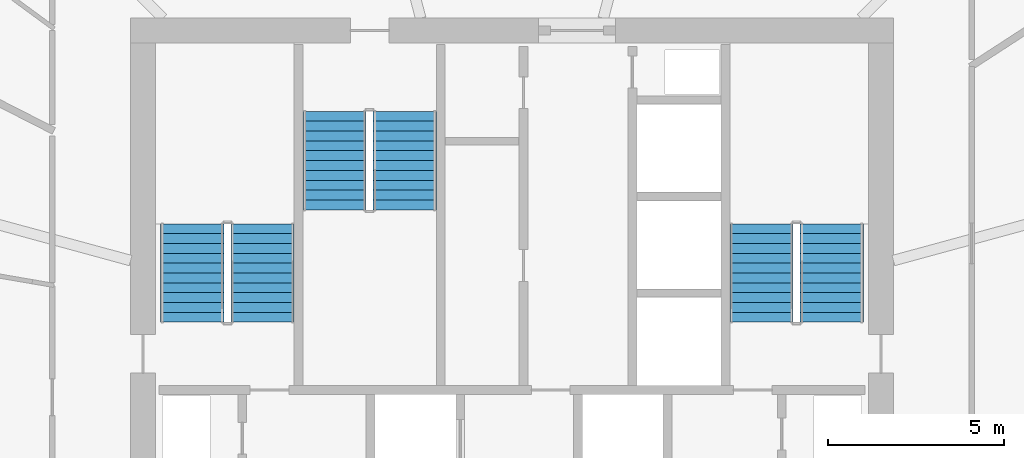
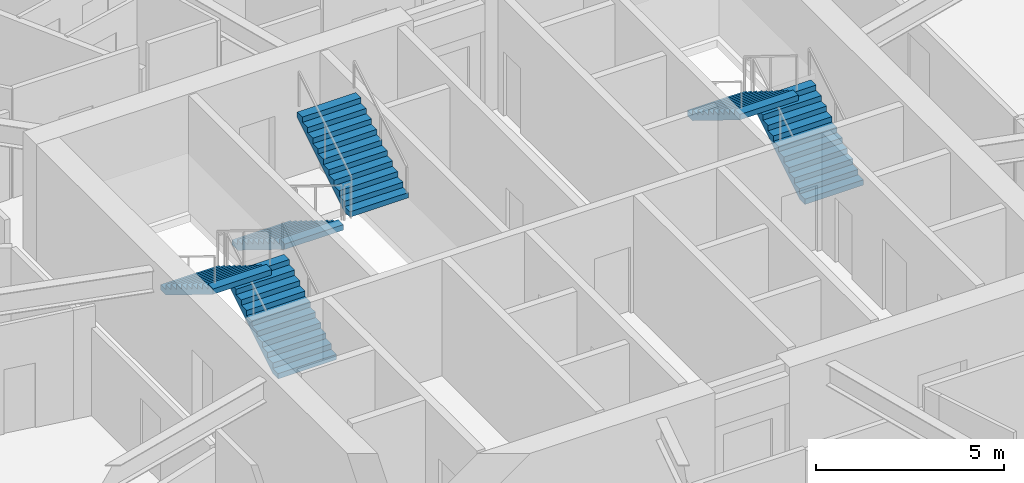
# One storey, part 32 of 35: 6 stair flights, 3 elements without a shape of their own.
"""IFC4 building model written with IfcOpenShell, lengths in metres."""

from ifc_helpers import new_model, si_unit, direction, frame, origin, place, context, subcontext, project, spatial, polyline, outline, extrude, material, type_object, element, aggregate, save


model = new_model("IFC4")

# Units and contexts
model_context = context("Model", 3, precision=1e-05, world=origin(), true_north=direction((0.0, 1.0)))
body_context = subcontext(model_context, "Body", "Model", "MODEL_VIEW")
ifc_project = project(units=[si_unit("LENGTHUNIT", "METRE"), si_unit("AREAUNIT", "SQUARE_METRE"), si_unit("VOLUMEUNIT", "CUBIC_METRE"), si_unit("PLANEANGLEUNIT", "RADIAN"), si_unit("MASSUNIT", "GRAM", prefix="KILO")], contexts=[model_context])

# Site, building, storey
site_placement = place(None, origin())
site = spatial("IfcSite", under=ifc_project, at=site_placement, CompositionType="ELEMENT")
building_placement = place(site_placement, origin())
building = spatial("IfcBuilding", under=site, at=building_placement, Name="Zuhravey Tower", CompositionType="ELEMENT")
storey_placement = place(building_placement, frame((0.0, 0.0, 122.800048828125)))
storey = spatial("IfcBuildingStorey", under=building, at=storey_placement, Name="L30", CompositionType="ELEMENT", Elevation=122.800048828125)

# Stair, stair flights
ifc_material = material(Name="Concrete C40/50", Category="concrete")
stair_type = type_object("IfcStairType", Name="Housing Storey Stair Assembly 3800", PredefinedType="HALF_TURN_STAIR", material=ifc_material)
stair_1_placement = place(storey_placement, origin())
stair_1 = element("IfcStair", 1, at=stair_1_placement, inside=storey, type_object=stair_type, Name="L30 Core Exit Stair ST1", PredefinedType="HALF_TURN_STAIR")
stair_flight_type = type_object("IfcStairFlightType", Name="Housing Storey Stair Flight 3800", PredefinedType="STRAIGHT", material=ifc_material)
stair_flight_1_placement = place(storey_placement, frame((28.89990234375, 33.199951171875, 0.0), z_axis=(0.0, 0.0, 1.0), x_axis=(0.0, 1.0, 0.0)))
stair_flight_1 = element("IfcStairFlight", 2, at=stair_flight_1_placement, type_object=stair_flight_type, Name="ST1 flight 1", NumberOfRisers=11, NumberOfTreads=10, PredefinedType="STRAIGHT", RiserHeight=0.172727273, TreadLength=0.28, context=body_context, shape_type="SweptSolid", body=[
    extrude(outline(polyline([(0.0, 0.0), (0.0, 0.172607421875), (0.280029296875, 0.172607421875), (0.280029296875, 0.345458984375), (0.56005859375, 0.345458984375), (0.56005859375, 0.51806640625), (0.840087890625, 0.51806640625), (0.840087890625, 0.69091796875), (1.1201171875, 0.69091796875), (1.1201171875, 0.863525390625), (1.39990234375, 0.863525390625), (1.39990234375, 1.036376953125), (1.679931640625, 1.036376953125), (1.679931640625, 1.208984375), (1.9599609375, 1.208984375), (1.9599609375, 1.3818359375), (2.239990234375, 1.3818359375), (2.239990234375, 1.554443359375), (2.52001953125, 1.554443359375), (2.52001953125, 1.727294921875), (2.800048828125, 1.727294921875), (2.800048828125, 1.89990234375), (2.800048828125, 1.551025390625), (0.285400390625, 0.0), (0.0, 0.0)])), frame((0.0, 0.89990234375, 0.0), z_axis=(0.0, -1.0, 0.0), x_axis=(1.0, 0.0, 0.0)), (0.0, 0.0, 1.0), 1.800048828125),
])
stair_flight_2_placement = place(storey_placement, frame((26.89990234375, 36.0, 1.89990234375), z_axis=(0.0, 0.0, 1.0), x_axis=(0.0, -1.0, 0.0)))
stair_flight_2 = element("IfcStairFlight", 3, at=stair_flight_2_placement, type_object=stair_flight_type, Name="ST1 flight 2", NumberOfRisers=11, NumberOfTreads=10, PredefinedType="STRAIGHT", RiserHeight=0.172727273, TreadLength=0.28, context=body_context, shape_type="SweptSolid", body=[
    extrude(outline(polyline([(0.0, 0.0), (0.0, 0.172607421875), (0.280029296875, 0.172607421875), (0.280029296875, 0.345458984375), (0.56005859375, 0.345458984375), (0.56005859375, 0.51806640625), (0.840087890625, 0.51806640625), (0.840087890625, 0.69091796875), (1.1201171875, 0.69091796875), (1.1201171875, 0.863525390625), (1.39990234375, 0.863525390625), (1.39990234375, 1.036376953125), (1.679931640625, 1.036376953125), (1.679931640625, 1.208984375), (1.9599609375, 1.208984375), (1.9599609375, 1.3818359375), (2.239990234375, 1.3818359375), (2.239990234375, 1.554443359375), (2.52001953125, 1.554443359375), (2.52001953125, 1.727294921875), (2.800048828125, 1.727294921875), (2.800048828125, 1.89990234375), (2.800048828125, 1.551025390625), (0.285400390625, 0.0), (0.0, 0.0)])), frame((0.0, 0.89990234375, 0.0), z_axis=(0.0, -1.0, 0.0), x_axis=(1.0, 0.0, 0.0)), (0.0, 0.0, 1.0), 1.800048828125),
])
aggregate(stair_1, [stair_flight_1, stair_flight_2])

stair_2_placement = place(storey_placement, origin())
stair_2 = element("IfcStair", 4, at=stair_2_placement, inside=storey, type_object=stair_type, Name="L30 Core Exit Stair ST2", PredefinedType="HALF_TURN_STAIR")
stair_flight_3_placement = place(storey_placement, frame((45.10009765625, 33.199951171875, 0.0), z_axis=(0.0, 0.0, 1.0), x_axis=(0.0, 1.0, 0.0)))
stair_flight_3 = element("IfcStairFlight", 5, at=stair_flight_3_placement, type_object=stair_flight_type, Name="ST2 flight 1", NumberOfRisers=11, NumberOfTreads=10, PredefinedType="STRAIGHT", RiserHeight=0.172727273, TreadLength=0.28, context=body_context, shape_type="SweptSolid", body=[
    extrude(outline(polyline([(0.0, 0.0), (0.0, 0.172607421875), (0.280029296875, 0.172607421875), (0.280029296875, 0.345458984375), (0.56005859375, 0.345458984375), (0.56005859375, 0.51806640625), (0.840087890625, 0.51806640625), (0.840087890625, 0.69091796875), (1.1201171875, 0.69091796875), (1.1201171875, 0.863525390625), (1.39990234375, 0.863525390625), (1.39990234375, 1.036376953125), (1.679931640625, 1.036376953125), (1.679931640625, 1.208984375), (1.9599609375, 1.208984375), (1.9599609375, 1.3818359375), (2.239990234375, 1.3818359375), (2.239990234375, 1.554443359375), (2.52001953125, 1.554443359375), (2.52001953125, 1.727294921875), (2.800048828125, 1.727294921875), (2.800048828125, 1.89990234375), (2.800048828125, 1.551025390625), (0.285400390625, 0.0), (0.0, 0.0)])), frame((0.0, 0.89990234375, 0.0), z_axis=(0.0, -1.0, 0.0), x_axis=(1.0, 0.0, 0.0)), (0.0, 0.0, 1.0), 1.800048828125),
])
stair_flight_4_placement = place(storey_placement, frame((43.10009765625, 36.0, 1.89990234375), z_axis=(0.0, 0.0, 1.0), x_axis=(0.0, -1.0, 0.0)))
stair_flight_4 = element("IfcStairFlight", 6, at=stair_flight_4_placement, type_object=stair_flight_type, Name="ST2 flight 2", NumberOfRisers=11, NumberOfTreads=10, PredefinedType="STRAIGHT", RiserHeight=0.172727273, TreadLength=0.28, context=body_context, shape_type="SweptSolid", body=[
    extrude(outline(polyline([(0.0, 0.0), (0.0, 0.172607421875), (0.280029296875, 0.172607421875), (0.280029296875, 0.345458984375), (0.56005859375, 0.345458984375), (0.56005859375, 0.51806640625), (0.840087890625, 0.51806640625), (0.840087890625, 0.69091796875), (1.1201171875, 0.69091796875), (1.1201171875, 0.863525390625), (1.39990234375, 0.863525390625), (1.39990234375, 1.036376953125), (1.679931640625, 1.036376953125), (1.679931640625, 1.208984375), (1.9599609375, 1.208984375), (1.9599609375, 1.3818359375), (2.239990234375, 1.3818359375), (2.239990234375, 1.554443359375), (2.52001953125, 1.554443359375), (2.52001953125, 1.727294921875), (2.800048828125, 1.727294921875), (2.800048828125, 1.89990234375), (2.800048828125, 1.551025390625), (0.285400390625, 0.0), (0.0, 0.0)])), frame((0.0, 0.89990234375, 0.0), z_axis=(0.0, -1.0, 0.0), x_axis=(1.0, 0.0, 0.0)), (0.0, 0.0, 1.0), 1.800048828125),
])
aggregate(stair_2, [stair_flight_3, stair_flight_4])

stair_3_placement = place(storey_placement, origin())
stair_3 = element("IfcStair", 7, at=stair_3_placement, inside=storey, type_object=stair_type, Name="L30 Core Exit Stair ST3", PredefinedType="HALF_TURN_STAIR")
stair_flight_5_placement = place(storey_placement, frame((30.949951171875, 39.199951171875, 0.0), z_axis=(0.0, 0.0, 1.0), x_axis=(0.0, -1.0, 0.0)))
stair_flight_5 = element("IfcStairFlight", 8, at=stair_flight_5_placement, type_object=stair_flight_type, Name="ST3 flight 1", NumberOfRisers=11, NumberOfTreads=10, PredefinedType="STRAIGHT", RiserHeight=0.172727273, TreadLength=0.28, context=body_context, shape_type="SweptSolid", body=[
    extrude(outline(polyline([(0.0, 0.0), (0.0, 0.172607421875), (0.280029296875, 0.172607421875), (0.280029296875, 0.345458984375), (0.56005859375, 0.345458984375), (0.56005859375, 0.51806640625), (0.840087890625, 0.51806640625), (0.840087890625, 0.69091796875), (1.1201171875, 0.69091796875), (1.1201171875, 0.863525390625), (1.39990234375, 0.863525390625), (1.39990234375, 1.036376953125), (1.679931640625, 1.036376953125), (1.679931640625, 1.208984375), (1.9599609375, 1.208984375), (1.9599609375, 1.3818359375), (2.239990234375, 1.3818359375), (2.239990234375, 1.554443359375), (2.52001953125, 1.554443359375), (2.52001953125, 1.727294921875), (2.800048828125, 1.727294921875), (2.800048828125, 1.89990234375), (2.800048828125, 1.551025390625), (0.285400390625, 0.0), (0.0, 0.0)])), frame((0.0, 0.89990234375, 0.0), z_axis=(0.0, -1.0, 0.0), x_axis=(1.0, 0.0, 0.0)), (0.0, 0.0, 1.0), 1.800048828125),
])
stair_flight_6_placement = place(storey_placement, frame((32.949951171875, 36.39990234375, 1.89990234375), z_axis=(0.0, 0.0, 1.0), x_axis=(0.0, 1.0, 0.0)))
stair_flight_6 = element("IfcStairFlight", 9, at=stair_flight_6_placement, type_object=stair_flight_type, Name="ST3 flight 2", NumberOfRisers=11, NumberOfTreads=10, PredefinedType="STRAIGHT", RiserHeight=0.172727273, TreadLength=0.28, context=body_context, shape_type="SweptSolid", body=[
    extrude(outline(polyline([(0.0, 0.0), (0.0, 0.172607421875), (0.280029296875, 0.172607421875), (0.280029296875, 0.345458984375), (0.56005859375, 0.345458984375), (0.56005859375, 0.51806640625), (0.840087890625, 0.51806640625), (0.840087890625, 0.69091796875), (1.1201171875, 0.69091796875), (1.1201171875, 0.863525390625), (1.39990234375, 0.863525390625), (1.39990234375, 1.036376953125), (1.679931640625, 1.036376953125), (1.679931640625, 1.208984375), (1.9599609375, 1.208984375), (1.9599609375, 1.3818359375), (2.239990234375, 1.3818359375), (2.239990234375, 1.554443359375), (2.52001953125, 1.554443359375), (2.52001953125, 1.727294921875), (2.800048828125, 1.727294921875), (2.800048828125, 1.89990234375), (2.800048828125, 1.551025390625), (0.285400390625, 0.0), (0.0, 0.0)])), frame((0.0, 0.89990234375, 0.0), z_axis=(0.0, -1.0, 0.0), x_axis=(1.0, 0.0, 0.0)), (0.0, 0.0, 1.0), 1.800048828125),
])
aggregate(stair_3, [stair_flight_5, stair_flight_6])

save(model, "model.ifc")
